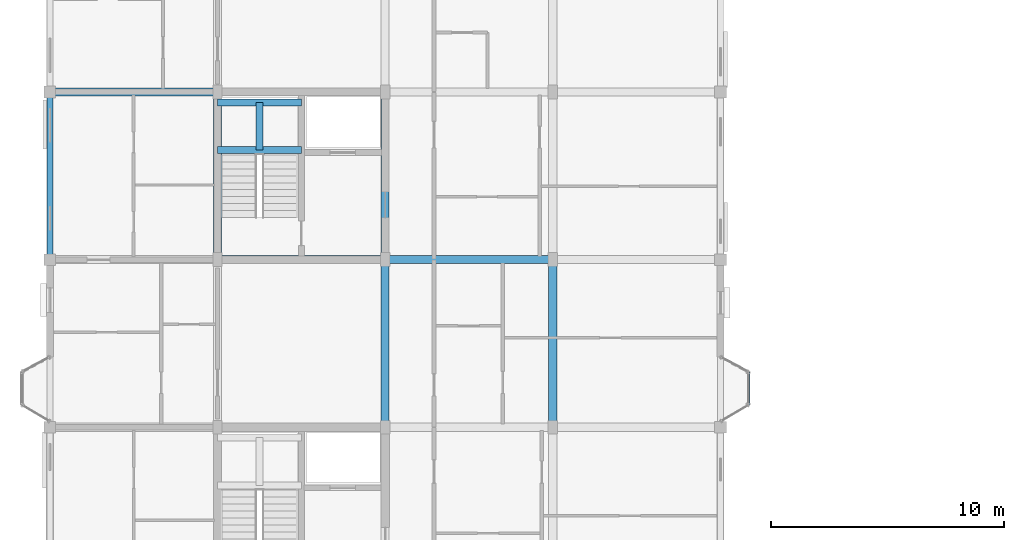
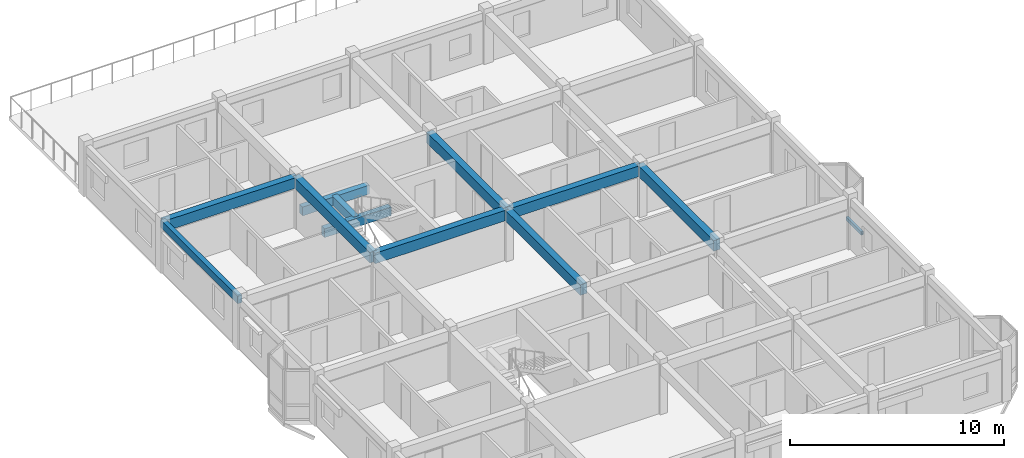
# One storey, part 11 of 70: 11 beams, 1 member.
"""IFC4 building model written with IfcOpenShell, lengths in metres."""

from ifc_helpers import new_model, si_unit, direction, frame, origin, origin_2d, place, context, subcontext, project, spatial, rectangle, hollow_rectangle, extrude, material, material_profile, profile_set, type_object, element, save


model = new_model("IFC4")

# Units and contexts
model_context = context("Model", 3, precision=1e-05, world=origin(), true_north=direction((0.0, 1.0)))
body_context = subcontext(model_context, "Body", "Model", "MODEL_VIEW")
ifc_project = project(units=[si_unit("LENGTHUNIT", "METRE"), si_unit("AREAUNIT", "SQUARE_METRE"), si_unit("VOLUMEUNIT", "CUBIC_METRE"), si_unit("PLANEANGLEUNIT", "RADIAN"), si_unit("MASSUNIT", "GRAM", prefix="KILO"), si_unit("THERMODYNAMICTEMPERATUREUNIT", "KELVIN"), si_unit("POWERUNIT", "WATT")], contexts=[model_context])

# Site, building, storey
site_placement = place(None, origin())
site = spatial("IfcSite", under=ifc_project, at=site_placement, CompositionType="ELEMENT")
building_placement = place(site_placement, origin())
building = spatial("IfcBuilding", under=site, at=building_placement, Name="Tavuni Mirador Residences", CompositionType="ELEMENT")
storey_placement = place(building_placement, frame((0.0, 0.0, 23.39990234375)))
storey = spatial("IfcBuildingStorey", under=building, at=storey_placement, Name="L07", CompositionType="ELEMENT", Elevation=23.39990234375)

# Beams
ifc_material_1 = material(Name="Precast concrete C40/50", Category="concrete")
ifc_material_profile_1 = material_profile(ifc_material_1, rectangle(XDim=0.300048828125, YDim=0.5, at=origin_2d()), Name="PC 300x500", Category="concrete")
ifc_profile_set_1 = profile_set([ifc_material_profile_1], Name="Precast concrete C40/50")
beam_type_1 = type_object("IfcBeamType", Name="BT-B500", PredefinedType="BEAM", material=ifc_profile_set_1)
for number, where, z_axis, x_axis, name in (
    (1, (10.800048828125, 33.5, 1.14501953125), (1.0, 0.0, 0.0), (0.0, 1.0, 0.0), "HLB1-C2-L07"),
    (2, (10.800048828125, 35.550048828125, 1.14501953125), (1.0, 0.0, 0.0), (0.0, 1.0, 0.0), "HLB2-C2-L07"),
):
    element("IfcBeam", number, at=place(storey_placement, frame(where, z_axis=z_axis, x_axis=x_axis)), inside=storey, type_object=beam_type_1, Name=name, PredefinedType="BEAM", context=body_context, shape_type="SweptSolid", body=[
        extrude(rectangle(XDim=0.300048828125, YDim=0.5, at=origin_2d()), origin(), (0.0, 0.0, 1.0), 3.599853515625),
    ])
beam_1_placement = place(storey_placement, frame((12.60009765625, 33.5, 1.14501953125), z_axis=(0.0, 1.0, 0.0), x_axis=(-1.0, 0.0, 0.0)))
element("IfcBeam", 3, at=beam_1_placement, inside=storey, type_object=beam_type_1, Name="HLB3-C2-L07", PredefinedType="BEAM", context=body_context, shape_type="SweptSolid", body=[
    extrude(rectangle(XDim=0.300048828125, YDim=0.5, at=origin_2d()), origin(), (0.0, 0.0, 1.0), 2.050048828125),
])
ifc_material_profile_2 = material_profile(ifc_material_1, rectangle(XDim=0.35009765625, YDim=0.60009765625, at=origin_2d()), Name="PC 350x600", Category="concrete")
ifc_profile_set_2 = profile_set([ifc_material_profile_2], Name="Precast concrete C40/50")
beam_type_2 = type_object("IfcBeamType", Name="BT-B600", PredefinedType="BEAM", material=ifc_profile_set_2)
for number, where, z_axis, x_axis, name in (
    (4, (10.800048828125, 28.800048828125, 2.570068359375), (1.0, 0.0, 0.0), (0.0, 1.0, 0.0), "BMX-BLK-A-L07-01-03"),
    (5, (18.0, 28.800048828125, 2.570068359375), (1.0, 0.0, 0.0), (0.0, 1.0, 0.0), "BMX-BLK-A-L07-02-03"),
    (6, (3.60009765625, 36.0, 2.570068359375), (1.0, 0.0, 0.0), (0.0, 1.0, 0.0), "BMX-BLK-A-L07-00-04"),
    (7, (10.800048828125, 28.800048828125, 2.570068359375), (0.0, 1.0, 0.0), (-1.0, 0.0, 0.0), "BMY-BLK-A-L07-01-03"),
    (8, (18.0, 21.60009765625, 2.570068359375), (0.0, 1.0, 0.0), (-1.0, 0.0, 0.0), "BMY-BLK-A-L07-02-02"),
    (9, (18.0, 28.800048828125, 2.570068359375), (0.0, 1.0, 0.0), (-1.0, 0.0, 0.0), "BMY-BLK-A-L07-02-03"),
    (10, (25.199951171875, 21.60009765625, 2.570068359375), (0.0, 1.0, 0.0), (-1.0, 0.0, 0.0), "BMY-BLK-A-L07-03-02"),
):
    element("IfcBeam", number, at=place(storey_placement, frame(where, z_axis=z_axis, x_axis=x_axis)), inside=storey, type_object=beam_type_2, Name=name, PredefinedType="BEAM", context=body_context, shape_type="SweptSolid", body=[
        extrude(rectangle(XDim=0.35009765625, YDim=0.60009765625, at=origin_2d()), origin(), (0.0, 0.0, 1.0), 7.199951171875),
    ])
ifc_material_profile_3 = material_profile(ifc_material_1, rectangle(XDim=0.25, YDim=0.419921875, at=origin_2d()), Name="PC 250x420", Category="concrete")
ifc_profile_set_3 = profile_set([ifc_material_profile_3], Name="Precast concrete C40/50")
beam_type_3 = type_object("IfcBeamType", Name="BT-SP420", PredefinedType="SPANDREL", material=ifc_profile_set_3)
beam_2_placement = place(storey_placement, frame((3.60009765625, 28.800048828125, 2.66015625), z_axis=(0.0, 1.0, 0.0), x_axis=(-1.0, 0.0, 0.0)))
element("IfcBeam", 11, at=beam_2_placement, inside=storey, type_object=beam_type_3, Name="BMY-BLK-A-L07-00-03", PredefinedType="SPANDREL", context=body_context, shape_type="SweptSolid", body=[
    extrude(rectangle(XDim=0.25, YDim=0.419921875, at=origin_2d()), origin(), (0.0, 0.0, 1.0), 7.199951171875),
])

# Member
ifc_material_2 = material(Name="Structural steel S355", Category="steel")
ifc_material_profile_4 = material_profile(ifc_material_2, hollow_rectangle(XDim=0.1201171875, YDim=0.199951171875, WallThickness=0.010009765625, at=origin_2d()), Name="RHS 200x120x10.0", Category="steel")
ifc_profile_set_4 = profile_set([ifc_material_profile_4], Name="Structural steel S355")
member_type = type_object("IfcMemberType", Name="MT-ST-RHS200", PredefinedType="STRUT", material=ifc_profile_set_4)
member_placement = place(storey_placement, frame((33.60009765625, 22.56005859375, -0.27978515625), z_axis=(0.0, 1.0, 0.0), x_axis=(-1.0, 0.0, 0.0)))
element("IfcMember", 12, at=member_placement, inside=storey, type_object=member_type, Name="MRIM-MIR-A-E2-L07", PredefinedType="STRUT", context=body_context, shape_type="SweptSolid", body=[
    extrude(hollow_rectangle(XDim=0.1201171875, YDim=0.199951171875, WallThickness=0.010009765625, at=origin_2d()), origin(), (0.0, 0.0, 1.0), 1.419921875),
])

save(model, "model.ifc")
